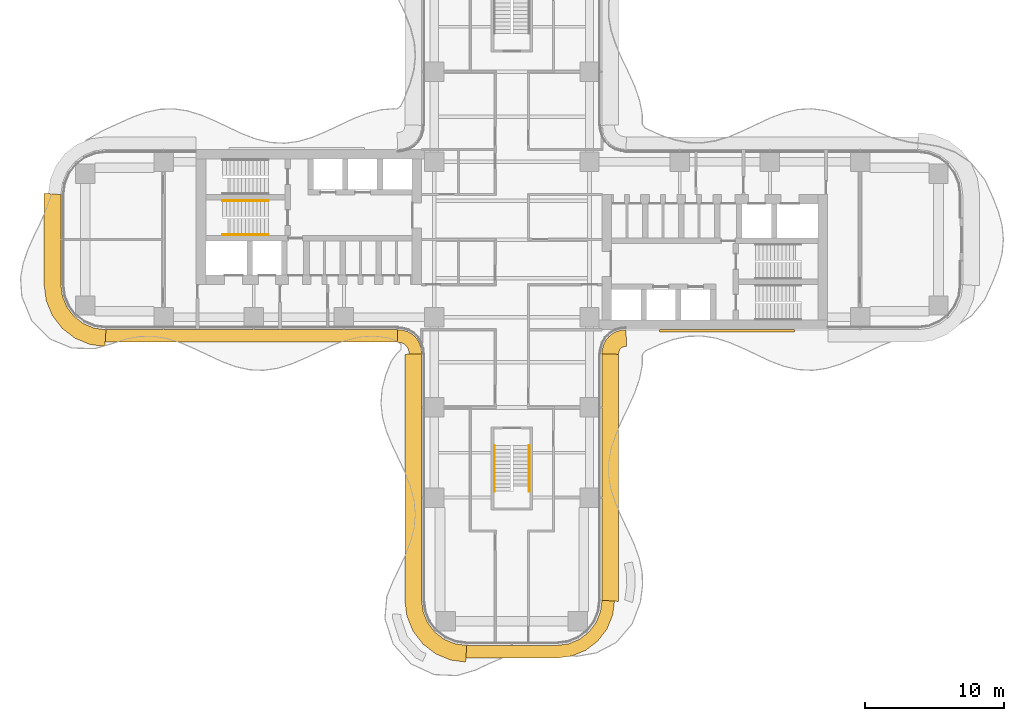
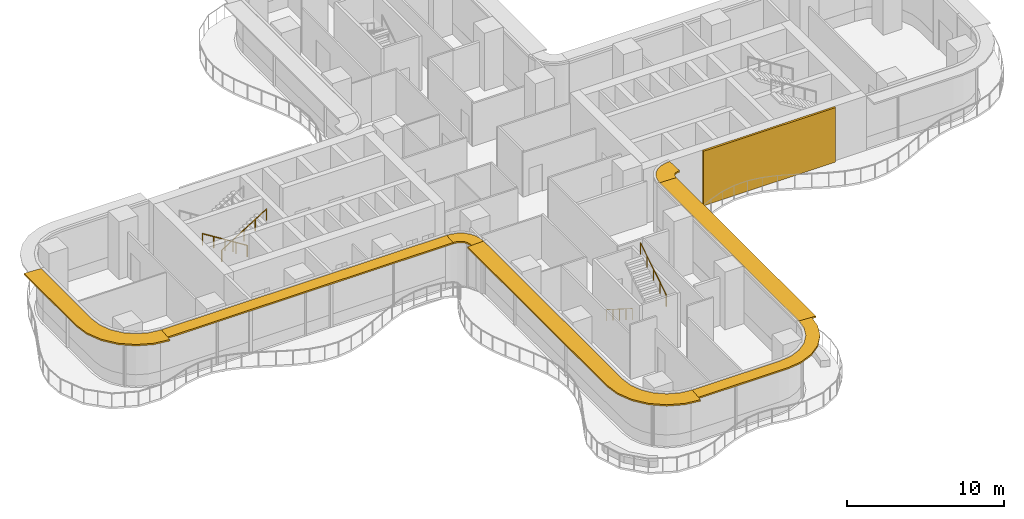
# One storey, part 21 of 22: 7 shading devices, 4 railings, 1 covering.
"""IFC4 building model written with IfcOpenShell, lengths in metres."""

import ifcopenshell
import ifcopenshell.guid

model = None  # the IFC model being written
_history = None  # IfcOwnerHistory: only IFC2X3 demands one
_inside = {}  # id of a spatial element -> (the spatial element, [elements in it])
_under = {}  # id of a project, library or spatial element -> (it, [spatial elements below it])
_declared = {}  # id of a project -> (the project, [libraries it declares])
_typed = {}  # id of a type object -> (the type object, [elements of that type])
_made_of = {}  # id of a material, layer set ... -> (it, [elements and type objects made of it])


def new_model(schema):
    """Start an empty IFC model of exactly this schema.

    Asked for "IFC4X3", IfcOpenShell would pick the latest addendum, in which some entities
    have other attributes; the version numbers below select the first issue.
    IFC2X3 requires an IfcOwnerHistory on every rooted entity: one is made here for all.
    """
    global model, _history
    if schema == "IFC4X3":
        model = ifcopenshell.file(schema_version=(4, 3, 0, 0))
    else:
        model = ifcopenshell.file(schema=schema)
    _inside.clear()
    _under.clear()
    _declared.clear()
    _typed.clear()
    _made_of.clear()
    _history = None
    if model.schema == "IFC2X3":
        org = make("IfcOrganization", Name="unknown")
        user = make(
            "IfcPersonAndOrganization",
            ThePerson=make("IfcPerson", FamilyName="unknown"),
            TheOrganization=org,
        )
        app = make(
            "IfcApplication",
            ApplicationDeveloper=org,
            Version="unknown",
            ApplicationFullName="unknown",
            ApplicationIdentifier="unknown",
        )
        _history = make(
            "IfcOwnerHistory",
            OwningUser=user,
            OwningApplication=app,
            ChangeAction="ADDED",
            CreationDate=0,
        )
    return model


def make(cls, **values):
    """One entity of the class cls with the attributes given. An attribute that is None is left unset."""
    return model.create_entity(
        cls, **{name: value for name, value in values.items() if value is not None}
    )


def rooted(cls, **values):
    """An entity with a GlobalId (a new one), such as an element, a storey or a relation."""
    return make(cls, GlobalId=ifcopenshell.guid.new(), OwnerHistory=_history, **values)


def si_unit(unit_type, name, prefix=None):
    """IfcSIUnit, for example si_unit("LENGTHUNIT", "METRE", prefix="MILLI")."""
    return make("IfcSIUnit", UnitType=unit_type, Prefix=prefix, Name=name)


def assignment(units):
    """IfcUnitAssignment: the units of a project."""
    return None if units is None else make("IfcUnitAssignment", Units=units)


def point(xyz):
    """IfcCartesianPoint."""
    return None if xyz is None else make("IfcCartesianPoint", Coordinates=xyz)


def direction(xyz):
    """IfcDirection."""
    return None if xyz is None else make("IfcDirection", DirectionRatios=xyz)


def frame(location, z_axis=None, x_axis=None):
    """IfcAxis2Placement3D, a coordinate frame: its origin and axes. An axis left out is left unset."""
    return make(
        "IfcAxis2Placement3D",
        Location=point(location),
        Axis=direction(z_axis),
        RefDirection=direction(x_axis),
    )


def frame_2d(location, x_axis=None):
    """IfcAxis2Placement2D, a coordinate frame in the plane: its origin and x axis."""
    return make(
        "IfcAxis2Placement2D", Location=point(location), RefDirection=direction(x_axis)
    )


def origin():
    """The frame at (0, 0, 0) with its axes left unset."""
    return frame((0.0, 0.0, 0.0))


def origin_2d():
    """The frame at (0, 0) in the plane with its x axis left unset."""
    return frame_2d((0.0, 0.0))


def place(relative_to, where):
    """IfcLocalPlacement: puts the frame where relative to a parent placement (None: the world)."""
    return make(
        "IfcLocalPlacement", PlacementRelTo=relative_to, RelativePlacement=where
    )


def context(
    kind, dimensions, precision=None, world=None, true_north=None, identifier=None
):
    """IfcGeometricRepresentationContext, for example the 3D "Model" context."""
    return make(
        "IfcGeometricRepresentationContext",
        ContextIdentifier=identifier,
        ContextType=kind,
        CoordinateSpaceDimension=dimensions,
        Precision=precision,
        WorldCoordinateSystem=world,
        TrueNorth=true_north,
    )


def subcontext(parent, identifier, kind, view, scale=None):
    """IfcGeometricRepresentationSubContext, for example "Body" below "Model"."""
    return make(
        "IfcGeometricRepresentationSubContext",
        ContextIdentifier=identifier,
        ContextType=kind,
        ParentContext=parent,
        TargetScale=scale,
        TargetView=view,
    )


def project(units=None, contexts=None):
    """IfcProject with its units and contexts."""
    return rooted(
        "IfcProject",
        Name="project",
        RepresentationContexts=contexts,
        UnitsInContext=assignment(units),
    )


def spatial(cls, under=None, at=None, **own):
    """A site, building, storey or space (cls), placed at a placement, below another one or the project."""
    s = rooted(cls, ObjectPlacement=at, **own)
    if under is not None:
        _under.setdefault(under.id(), (under, []))[1].append(s)
    return s


def polyline(points):
    """IfcPolyline through the points."""
    return make("IfcPolyline", Points=[point(p) for p in points])


def profile(cls, at=None, kind="AREA", **sizes):
    """A parametric profile (cls). Its sizes go by their IFC names, for example OverallWidth=200.0."""
    return make(cls, ProfileType=kind, Position=at, **sizes)


def circle(**sizes):
    """IfcCircleProfileDef."""
    return profile("IfcCircleProfileDef", **sizes)


def outline(outer, holes=None, kind="AREA"):
    """IfcArbitraryClosedProfileDef: a profile drawn as a closed curve; with holes, ...WithVoids."""
    if holes is None:
        return make("IfcArbitraryClosedProfileDef", ProfileType=kind, OuterCurve=outer)
    return make(
        "IfcArbitraryProfileDefWithVoids",
        ProfileType=kind,
        OuterCurve=outer,
        InnerCurves=holes,
    )


def extrude(swept, where, along, depth):
    """IfcExtrudedAreaSolid: the profile swept, set in the frame where, extruded along a direction by depth."""
    return make(
        "IfcExtrudedAreaSolid",
        SweptArea=swept,
        Position=where,
        ExtrudedDirection=direction(along),
        Depth=depth,
    )


def shape(context_of_items, identifier, shape_type, items):
    """IfcShapeRepresentation: the items that make up one representation, for example the "Body"."""
    return make(
        "IfcShapeRepresentation",
        ContextOfItems=context_of_items,
        RepresentationIdentifier=identifier,
        RepresentationType=shape_type,
        Items=items,
    )


def source(mapping_origin, context_of_items, identifier, shape_type, items):
    """IfcRepresentationMap: a shape defined once, which mapped items show again and again."""
    return make(
        "IfcRepresentationMap",
        MappingOrigin=mapping_origin,
        MappedRepresentation=shape(context_of_items, identifier, shape_type, items),
    )


def transform(
    local_origin,
    x_axis=None,
    y_axis=None,
    z_axis=None,
    scale=None,
    scale2=None,
    scale3=None,
    uniform=True,
):
    """IfcCartesianTransformationOperator3D, or its non-uniform kind. x_axis, y_axis, z_axis: its Axis1, 2, 3."""
    if uniform:
        return make(
            "IfcCartesianTransformationOperator3D",
            Axis1=direction(x_axis),
            Axis2=direction(y_axis),
            LocalOrigin=point(local_origin),
            Scale=scale,
            Axis3=direction(z_axis),
        )
    return make(
        "IfcCartesianTransformationOperator3DnonUniform",
        Axis1=direction(x_axis),
        Axis2=direction(y_axis),
        LocalOrigin=point(local_origin),
        Scale=scale,
        Axis3=direction(z_axis),
        Scale2=scale2,
        Scale3=scale3,
    )


def mapped(mapping_source, mapping_target):
    """IfcMappedItem: shows the shape of a source again, moved by a transform."""
    return make(
        "IfcMappedItem", MappingSource=mapping_source, MappingTarget=mapping_target
    )


def material(Name=None, Category=None):
    """IfcMaterial."""
    return make("IfcMaterial", Name=Name, Category=Category)


def layer(
    of_material, thickness, ventilated=None, Name=None, Category=None, Priority=None
):
    """IfcMaterialLayer: one layer of a wall or slab, of a material (None: an air gap)."""
    return make(
        "IfcMaterialLayer",
        Material=of_material,
        LayerThickness=thickness,
        IsVentilated=ventilated,
        Name=Name,
        Category=Category,
        Priority=Priority,
    )


def layer_set(layers, Name=None):
    """IfcMaterialLayerSet."""
    return make("IfcMaterialLayerSet", MaterialLayers=layers, LayerSetName=Name)


def made_of(thing, what):
    """Note that an element or type object is made of a material, layer set ...; save() writes the relation."""
    if what is not None:
        _made_of.setdefault(what.id(), (what, []))[1].append(thing)
    return thing


def type_object(cls, material=None, **own):
    """A type object (cls), such as IfcWallType, which elements share."""
    return made_of(rooted(cls, **own), material)


def element(
    cls,
    number,
    at=None,
    inside=None,
    cuts=None,
    type_object=None,
    material=None,
    context=None,
    identifier="Body",
    shape_type=None,
    held_by="IfcProductDefinitionShape",
    body=None,
    shapes=None,
    **own,
):
    """One element of the class cls, such as IfcWall. Its Tag is "e" and its number.

    at: its placement. inside: the storey or other place that contains it. cuts: it is an
    opening in that element (IfcRelVoidsElement). A single representation is given by context,
    identifier, shape_type and body (its items); several are given by shapes. held_by: the class
    of the entity that holds the representations. save() writes the other relations.
    """
    e = rooted(cls, Tag="e%d" % number, ObjectPlacement=at, **own)
    if body is not None:
        shapes = [shape(context, identifier, shape_type, body)]
    if shapes is not None:
        e.Representation = make(held_by, Representations=shapes)
    if inside is not None:
        _inside.setdefault(inside.id(), (inside, []))[1].append(e)
    if cuts is not None:
        rooted(
            "IfcRelVoidsElement", RelatingBuildingElement=cuts, RelatedOpeningElement=e
        )
    if type_object is not None:
        _typed.setdefault(type_object.id(), (type_object, []))[1].append(e)
    return made_of(e, material)


def aggregate(whole, parts):
    """IfcRelAggregates: a whole, such as a stair, and the parts it consists of."""
    return rooted("IfcRelAggregates", RelatingObject=whole, RelatedObjects=parts)


def save(model, path):
    """Write the relations noted so far, then the file.

    IfcRelAggregates (storeys below a building ...), IfcRelContainedInSpatialStructure (elements
    in a storey), IfcRelDefinesByType, IfcRelAssociatesMaterial and IfcRelDeclares: one each for
    every whole, place, type object, material and project.
    """
    for whole, parts in _under.values():
        aggregate(whole, parts)
    for where, things in _inside.values():
        rooted(
            "IfcRelContainedInSpatialStructure",
            RelatedElements=things,
            RelatingStructure=where,
        )
    for kind, things in _typed.values():
        rooted("IfcRelDefinesByType", RelatedObjects=things, RelatingType=kind)
    for what, things in _made_of.values():
        rooted("IfcRelAssociatesMaterial", RelatedObjects=things, RelatingMaterial=what)
    for by, libraries in _declared.values():
        rooted("IfcRelDeclares", RelatingContext=by, RelatedDefinitions=libraries)
    model.write(path)


model = new_model("IFC4")

# Units and contexts
model_context = context("Model", 3, precision=1e-05, world=origin(), true_north=direction((0.0, 1.0)))
body_context = subcontext(model_context, "Body", "Model", "MODEL_VIEW")
ifc_project = project(units=[si_unit("LENGTHUNIT", "METRE"), si_unit("AREAUNIT", "SQUARE_METRE"), si_unit("VOLUMEUNIT", "CUBIC_METRE"), si_unit("PLANEANGLEUNIT", "RADIAN"), si_unit("MASSUNIT", "GRAM", prefix="KILO")], contexts=[model_context])

# Site, building, storey
site_placement = place(None, origin())
site = spatial("IfcSite", under=ifc_project, at=site_placement, CompositionType="ELEMENT")
building_placement = place(site_placement, origin())
building = spatial("IfcBuilding", under=site, at=building_placement, Name="Trellis Farm Tower", CompositionType="ELEMENT")
storey_placement = place(building_placement, frame((0.0, 0.0, 79.0)))
storey = spatial("IfcBuildingStorey", under=building, at=storey_placement, Name="L16", CompositionType="ELEMENT", Elevation=79.0)

# Railings
ifc_material_1 = material(Name="Stainless steel", Category="steel")
railing_type = type_object("IfcRailingType", Name="STAIR HANDRAIL 900", PredefinedType="HANDRAIL", material=ifc_material_1)
shared_shape_1 = source(origin(), body_context, "Body", "SweptSolid", [
    extrude(circle(Radius=0.02392578125, at=origin_2d()), frame((0.0, 0.0, 0.8759765625), z_axis=(0.0, 0.846319618018, 0.532675421018), x_axis=(-1.0, 0.0, 0.0)), (0.0, 0.0, 1.0), 3.89892578125),
    extrude(circle(Radius=0.02099609375, at=origin_2d()), origin(), (0.0, 0.0, 1.0), 0.851806640625),
    extrude(circle(Radius=0.02099609375, at=origin_2d()), frame((0.0, 0.824951171875, 0.519287109375)), (0.0, 0.0, 1.0), 0.851806640625),
    extrude(circle(Radius=0.02099609375, at=origin_2d()), frame((0.0, 1.64990234375, 1.03857421875)), (0.0, 0.0, 1.0), 0.851806640625),
    extrude(circle(Radius=0.02099609375, at=origin_2d()), frame((0.0, 2.474853515625, 1.5576171875)), (0.0, 0.0, 1.0), 0.851806640625),
    extrude(circle(Radius=0.02099609375, at=origin_2d()), frame((0.0, 3.2998046875, 2.076904296875)), (0.0, 0.0, 1.0), 0.851806640625),
])
railing_1_placement = place(storey_placement, frame((1.25, -18.14990234375, 2.423095703125)))
element("IfcRailing", 1, at=railing_1_placement, inside=storey, type_object=railing_type, Name="Stair handrail", PredefinedType="HANDRAIL", context=body_context, shape_type="MappedRepresentation", body=[
    mapped(shared_shape_1, transform((0.0, 0.0, 0.0))),
])
shared_shape_2 = source(origin(), body_context, "Body", "SweptSolid", [
    extrude(circle(Radius=0.02392578125, at=origin_2d()), frame((0.0, 0.0, 0.8759765625), z_axis=(0.0, -0.846319618018, 0.532675421018), x_axis=(1.0, 0.0, 0.0)), (0.0, 0.0, 1.0), 3.89892578125),
    extrude(circle(Radius=0.02099609375, at=origin_2d()), origin(), (0.0, 0.0, 1.0), 0.851806640625),
    extrude(circle(Radius=0.02099609375, at=origin_2d()), frame((0.0, -0.824951171875, 0.519287109375)), (0.0, 0.0, 1.0), 0.851806640625),
    extrude(circle(Radius=0.02099609375, at=origin_2d()), frame((0.0, -1.64990234375, 1.03857421875)), (0.0, 0.0, 1.0), 0.851806640625),
    extrude(circle(Radius=0.02099609375, at=origin_2d()), frame((0.0, -2.474853515625, 1.5576171875)), (0.0, 0.0, 1.0), 0.851806640625),
    extrude(circle(Radius=0.02099609375, at=origin_2d()), frame((0.0, -3.2998046875, 2.076904296875)), (0.0, 0.0, 1.0), 0.851806640625),
])
railing_2_placement = place(storey_placement, frame((-1.25, -14.85009765625, 0.173095703125)))
element("IfcRailing", 2, at=railing_2_placement, inside=storey, type_object=railing_type, Name="Stair handrail", PredefinedType="HANDRAIL", context=body_context, shape_type="MappedRepresentation", body=[
    mapped(shared_shape_2, transform((0.0, 0.0, 0.0))),
])
shared_shape_3 = source(origin(), body_context, "Body", "SweptSolid", [
    extrude(circle(Radius=0.02392578125, at=origin_2d()), frame((0.0, 0.0, 0.8759765625), z_axis=(0.846337383501, 0.0, 0.532647194011), x_axis=(0.0, 1.0, 0.0)), (0.0, 0.0, 1.0), 3.899169921875),
    extrude(circle(Radius=0.02099609375, at=origin_2d()), origin(), (0.0, 0.0, 1.0), 0.851806640625),
    extrude(circle(Radius=0.02099609375, at=origin_2d()), frame((0.824951171875, 0.0, 0.519287109375)), (0.0, 0.0, 1.0), 0.851806640625),
    extrude(circle(Radius=0.02099609375, at=origin_2d()), frame((1.64990234375, 0.0, 1.03857421875)), (0.0, 0.0, 1.0), 0.851806640625),
    extrude(circle(Radius=0.02099609375, at=origin_2d()), frame((2.47509765625, 0.0, 1.5576171875)), (0.0, 0.0, 1.0), 0.851806640625),
    extrude(circle(Radius=0.02099609375, at=origin_2d()), frame((3.300048828125, 0.0, 2.076904296875)), (0.0, 0.0, 1.0), 0.851806640625),
])
railing_3_placement = place(storey_placement, frame((-20.85009765625, 0.35009765625, 2.423095703125)))
element("IfcRailing", 3, at=railing_3_placement, inside=storey, type_object=railing_type, Name="Stair handrail", PredefinedType="HANDRAIL", context=body_context, shape_type="MappedRepresentation", body=[
    mapped(shared_shape_3, transform((0.0, 0.0, 0.0))),
])
shared_shape_4 = source(origin(), body_context, "Body", "SweptSolid", [
    extrude(circle(Radius=0.02392578125, at=origin_2d()), frame((0.0, 0.0, 0.8759765625), z_axis=(-0.846337383501, 0.0, 0.532647194011), x_axis=(0.0, -1.0, 0.0)), (0.0, 0.0, 1.0), 3.899169921875),
    extrude(circle(Radius=0.02099609375, at=origin_2d()), origin(), (0.0, 0.0, 1.0), 0.851806640625),
    extrude(circle(Radius=0.02099609375, at=origin_2d()), frame((-0.824951171875, 0.0, 0.519287109375)), (0.0, 0.0, 1.0), 0.851806640625),
    extrude(circle(Radius=0.02099609375, at=origin_2d()), frame((-1.64990234375, 0.0, 1.03857421875)), (0.0, 0.0, 1.0), 0.851806640625),
    extrude(circle(Radius=0.02099609375, at=origin_2d()), frame((-2.47509765625, 0.0, 1.5576171875)), (0.0, 0.0, 1.0), 0.851806640625),
    extrude(circle(Radius=0.02099609375, at=origin_2d()), frame((-3.300048828125, 0.0, 2.076904296875)), (0.0, 0.0, 1.0), 0.851806640625),
])
railing_4_placement = place(storey_placement, frame((-17.550048828125, 2.800048828125, 0.173095703125)))
element("IfcRailing", 4, at=railing_4_placement, inside=storey, type_object=railing_type, Name="Stair handrail", PredefinedType="HANDRAIL", context=body_context, shape_type="MappedRepresentation", body=[
    mapped(shared_shape_4, transform((0.0, 0.0, 0.0))),
])

# Shading devices
ifc_material_2 = material(Name="Aluminium extrusion 6063-T6", Category="aluminium")
ifc_layer_1 = layer(ifc_material_2, 0.1201171875)
ifc_layer_set_1 = layer_set([ifc_layer_1], Name="SUNSHADE BLADE 900")
shading_device_type_1 = type_object("IfcShadingDeviceType", Name="SUNSHADE BLADE 900", PredefinedType="USERDEFINED", material=ifc_layer_set_1)
shared_shape_5 = source(origin(), body_context, "Body", "SweptSolid", [
    extrude(outline(polyline([(-29.30908203125, -7.39990234375), (-8.2607421875, -7.39990234375), (-8.2314453125, -6.5), (-29.25, -6.5), (-29.30908203125, -7.39990234375)])), origin(), (0.0, 0.0, 1.0), 0.119873046875),
])
placement = place(storey_placement, frame((0.0, 0.0, 4.090087890625)))
element("IfcShadingDevice", 5, at=placement, inside=storey, type_object=shading_device_type_1, Name="SD1 001", ObjectType="SUNSHADE", PredefinedType="USERDEFINED", context=body_context, shape_type="MappedRepresentation", body=[
    mapped(shared_shape_5, transform((0.0, 0.0, 0.0))),
])
shared_shape_6 = source(origin(), body_context, "Body", "SweptSolid", [
    extrude(outline(polyline([(-8.2607421875, -7.39990234375), (-8.107666015625, -7.409912109375), (-8.091552734375, -7.412109375), (-7.85595703125, -7.475341796875), (-7.697021484375, -7.567138671875), (-7.567138671875, -7.697021484375), (-7.475341796875, -7.85595703125), (-7.412109375, -8.091552734375), (-7.409912109375, -8.107666015625), (-7.39990234375, -8.2607421875), (-6.5, -8.2314453125), (-6.513916015625, -8.01953125), (-6.527587890625, -7.91552734375), (-6.63671875, -7.508544921875), (-6.846923828125, -7.144287109375), (-7.144287109375, -6.846923828125), (-7.508544921875, -6.63671875), (-7.91552734375, -6.527587890625), (-8.01953125, -6.513916015625), (-8.2314453125, -6.5), (-8.2607421875, -7.39990234375)])), origin(), (0.0, 0.0, 1.0), 0.119873046875),
])
element("IfcShadingDevice", 6, at=placement, inside=storey, type_object=shading_device_type_1, Name="SD1 002", ObjectType="SUNSHADE", PredefinedType="USERDEFINED", context=body_context, shape_type="MappedRepresentation", body=[
    mapped(shared_shape_6, transform((0.0, 0.0, 0.0))),
])
ifc_layer_2 = layer(ifc_material_2, 0.1201171875)
ifc_layer_set_2 = layer_set([ifc_layer_2], Name="SUNSHADE BLADE 1200")
shading_device_type_2 = type_object("IfcShadingDeviceType", Name="SUNSHADE BLADE 1200", PredefinedType="USERDEFINED", material=ifc_layer_set_2)
shared_shape_7 = source(origin(), body_context, "Body", "SweptSolid", [
    extrude(outline(polyline([(-7.699951171875, -8.270751953125), (-7.699951171875, -26.07861328125), (-7.558349609375, -27.154541015625), (-7.11279296875, -28.230224609375), (-6.404052734375, -29.154052734375), (-5.480224609375, -29.86279296875), (-4.404541015625, -30.308349609375), (-3.32861328125, -30.449951171875), (-3.25, -29.25), (-4.091064453125, -29.13916015625), (-4.875, -28.814697265625), (-5.548095703125, -28.298095703125), (-6.064697265625, -27.625), (-6.38916015625, -26.841064453125), (-6.5, -26.0), (-6.5, -8.2314453125), (-7.699951171875, -8.270751953125)])), origin(), (0.0, 0.0, 1.0), 0.119873046875),
])
element("IfcShadingDevice", 7, at=placement, inside=storey, type_object=shading_device_type_2, Name="SD2 003", ObjectType="SUNSHADE", PredefinedType="USERDEFINED", context=body_context, shape_type="MappedRepresentation", body=[
    mapped(shared_shape_7, transform((0.0, 0.0, 0.0))),
])
shared_shape_8 = source(origin(), body_context, "Body", "SweptSolid", [
    extrude(outline(polyline([(-3.30908203125, -30.14990234375), (3.30908203125, -30.14990234375), (4.326171875, -30.01611328125), (5.328857421875, -29.600830078125), (6.18994140625, -28.93994140625), (6.850830078125, -28.078857421875), (7.26611328125, -27.076171875), (7.39990234375, -26.05908203125), (6.5, -26.0), (6.38916015625, -26.841064453125), (6.064697265625, -27.625), (5.548095703125, -28.298095703125), (4.875, -28.814697265625), (4.091064453125, -29.13916015625), (3.25, -29.25), (-3.25, -29.25), (-3.30908203125, -30.14990234375)])), origin(), (0.0, 0.0, 1.0), 0.119873046875),
])
element("IfcShadingDevice", 8, at=placement, inside=storey, type_object=shading_device_type_1, Name="SD1 004", ObjectType="SUNSHADE", PredefinedType="USERDEFINED", context=body_context, shape_type="MappedRepresentation", body=[
    mapped(shared_shape_8, transform((0.0, 0.0, 0.0))),
])
shared_shape_9 = source(origin(), body_context, "Body", "SweptSolid", [
    extrude(outline(polyline([(7.699951171875, -26.07861328125), (7.699951171875, -8.270751953125), (6.5, -8.2314453125), (6.5, -26.0), (7.699951171875, -26.07861328125)])), origin(), (0.0, 0.0, 1.0), 0.119873046875),
])
element("IfcShadingDevice", 9, at=placement, inside=storey, type_object=shading_device_type_2, Name="SD2 005", ObjectType="SUNSHADE", PredefinedType="USERDEFINED", context=body_context, shape_type="MappedRepresentation", body=[
    mapped(shared_shape_9, transform((0.0, 0.0, 0.0))),
])
shared_shape_10 = source(origin(), body_context, "Body", "SweptSolid", [
    extrude(outline(polyline([(7.699951171875, -8.270751953125), (7.708740234375, -8.13720703125), (7.70703125, -8.150146484375), (7.7548828125, -7.9716796875), (7.80712890625, -7.881103515625), (7.881103515625, -7.80712890625), (7.9716796875, -7.7548828125), (8.150146484375, -7.70703125), (8.13720703125, -7.708740234375), (8.270751953125, -7.699951171875), (8.2314453125, -6.5), (8.01953125, -6.513916015625), (7.91552734375, -6.527587890625), (7.508544921875, -6.63671875), (7.144287109375, -6.846923828125), (6.846923828125, -7.144287109375), (6.63671875, -7.508544921875), (6.527587890625, -7.91552734375), (6.513916015625, -8.01953125), (6.5, -8.2314453125), (7.699951171875, -8.270751953125)])), origin(), (0.0, 0.0, 1.0), 0.119873046875),
])
element("IfcShadingDevice", 10, at=placement, inside=storey, type_object=shading_device_type_2, Name="SD2 006", ObjectType="SUNSHADE", PredefinedType="USERDEFINED", context=body_context, shape_type="MappedRepresentation", body=[
    mapped(shared_shape_10, transform((0.0, 0.0, 0.0))),
])
shared_shape_11 = source(origin(), body_context, "Body", "SweptSolid", [
    extrude(outline(polyline([(-33.699951171875, 3.32861328125), (-33.699951171875, -3.32861328125), (-33.558349609375, -4.404541015625), (-33.11279296875, -5.480224609375), (-32.404052734375, -6.404052734375), (-31.480224609375, -7.11279296875), (-30.404541015625, -7.558349609375), (-29.32861328125, -7.699951171875), (-29.25, -6.5), (-30.091064453125, -6.38916015625), (-30.875, -6.064697265625), (-31.548095703125, -5.548095703125), (-32.064697265625, -4.875), (-32.38916015625, -4.091064453125), (-32.5, -3.25), (-32.5, 3.25), (-33.699951171875, 3.32861328125)])), origin(), (0.0, 0.0, 1.0), 0.119873046875),
])
element("IfcShadingDevice", 11, at=placement, inside=storey, type_object=shading_device_type_2, Name="SD2 016", ObjectType="SUNSHADE", PredefinedType="USERDEFINED", context=body_context, shape_type="MappedRepresentation", body=[
    mapped(shared_shape_11, transform((0.0, 0.0, 0.0))),
])

# Covering
ifc_material_3 = material(Name="Perforated precast screen (cobogo)", Category="concrete")
ifc_layer_3 = layer(ifc_material_3, 0.14990234375)
ifc_layer_set_3 = layer_set([ifc_layer_3], Name="COBOGO SCREEN PANEL")
covering_type = type_object("IfcCoveringType", Name="COBOGO SCREEN PANEL", PredefinedType="USERDEFINED", material=ifc_layer_set_3)
shared_shape_12 = source(origin(), body_context, "Body", "SweptSolid", [
    extrude(outline(polyline([(10.630615234375, -6.64990234375), (20.380615234375, -6.64990234375), (20.380615234375, -6.5), (10.630615234375, -6.5), (10.630615234375, -6.64990234375)])), origin(), (0.0, 0.0, 1.0), 4.25),
])
covering_placement = place(storey_placement, origin())
element("IfcCovering", 12, at=covering_placement, inside=storey, type_object=covering_type, Name="SC1 01", ObjectType="SCREEN", PredefinedType="USERDEFINED", context=body_context, shape_type="MappedRepresentation", body=[
    mapped(shared_shape_12, transform((0.0, 0.0, 0.0))),
])

save(model, "model.ifc")
